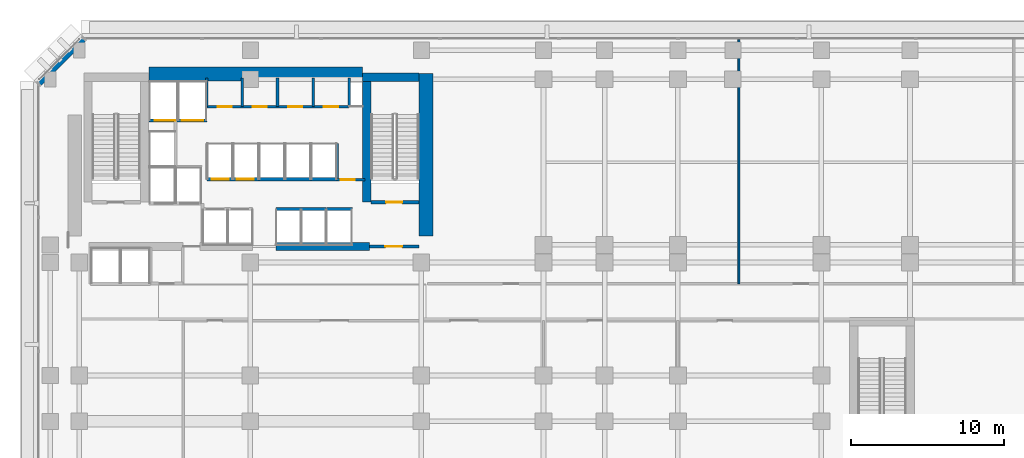
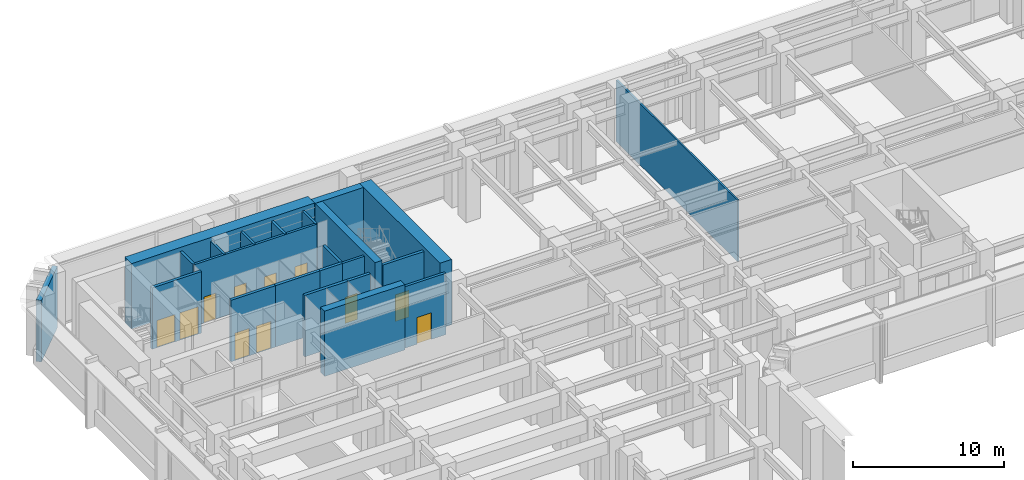
# One storey, part 10 of 20: 23 walls, 11 doors, 11 openings.
"""IFC4 building model written with IfcOpenShell, lengths in metres."""

import ifcopenshell
import ifcopenshell.guid

model = None  # the IFC model being written
_history = None  # IfcOwnerHistory: only IFC2X3 demands one
_inside = {}  # id of a spatial element -> (the spatial element, [elements in it])
_under = {}  # id of a project, library or spatial element -> (it, [spatial elements below it])
_declared = {}  # id of a project -> (the project, [libraries it declares])
_typed = {}  # id of a type object -> (the type object, [elements of that type])
_made_of = {}  # id of a material, layer set ... -> (it, [elements and type objects made of it])


def new_model(schema):
    """Start an empty IFC model of exactly this schema.

    Asked for "IFC4X3", IfcOpenShell would pick the latest addendum, in which some entities
    have other attributes; the version numbers below select the first issue.
    IFC2X3 requires an IfcOwnerHistory on every rooted entity: one is made here for all.
    """
    global model, _history
    if schema == "IFC4X3":
        model = ifcopenshell.file(schema_version=(4, 3, 0, 0))
    else:
        model = ifcopenshell.file(schema=schema)
    _inside.clear()
    _under.clear()
    _declared.clear()
    _typed.clear()
    _made_of.clear()
    _history = None
    if model.schema == "IFC2X3":
        org = make("IfcOrganization", Name="unknown")
        user = make(
            "IfcPersonAndOrganization",
            ThePerson=make("IfcPerson", FamilyName="unknown"),
            TheOrganization=org,
        )
        app = make(
            "IfcApplication",
            ApplicationDeveloper=org,
            Version="unknown",
            ApplicationFullName="unknown",
            ApplicationIdentifier="unknown",
        )
        _history = make(
            "IfcOwnerHistory",
            OwningUser=user,
            OwningApplication=app,
            ChangeAction="ADDED",
            CreationDate=0,
        )
    return model


def make(cls, **values):
    """One entity of the class cls with the attributes given. An attribute that is None is left unset."""
    return model.create_entity(
        cls, **{name: value for name, value in values.items() if value is not None}
    )


def rooted(cls, **values):
    """An entity with a GlobalId (a new one), such as an element, a storey or a relation."""
    return make(cls, GlobalId=ifcopenshell.guid.new(), OwnerHistory=_history, **values)


def si_unit(unit_type, name, prefix=None):
    """IfcSIUnit, for example si_unit("LENGTHUNIT", "METRE", prefix="MILLI")."""
    return make("IfcSIUnit", UnitType=unit_type, Prefix=prefix, Name=name)


def assignment(units):
    """IfcUnitAssignment: the units of a project."""
    return None if units is None else make("IfcUnitAssignment", Units=units)


def point(xyz):
    """IfcCartesianPoint."""
    return None if xyz is None else make("IfcCartesianPoint", Coordinates=xyz)


def direction(xyz):
    """IfcDirection."""
    return None if xyz is None else make("IfcDirection", DirectionRatios=xyz)


def frame(location, z_axis=None, x_axis=None):
    """IfcAxis2Placement3D, a coordinate frame: its origin and axes. An axis left out is left unset."""
    return make(
        "IfcAxis2Placement3D",
        Location=point(location),
        Axis=direction(z_axis),
        RefDirection=direction(x_axis),
    )


def frame_2d(location, x_axis=None):
    """IfcAxis2Placement2D, a coordinate frame in the plane: its origin and x axis."""
    return make(
        "IfcAxis2Placement2D", Location=point(location), RefDirection=direction(x_axis)
    )


def origin():
    """The frame at (0, 0, 0) with its axes left unset."""
    return frame((0.0, 0.0, 0.0))


def place(relative_to, where):
    """IfcLocalPlacement: puts the frame where relative to a parent placement (None: the world)."""
    return make(
        "IfcLocalPlacement", PlacementRelTo=relative_to, RelativePlacement=where
    )


def context(
    kind, dimensions, precision=None, world=None, true_north=None, identifier=None
):
    """IfcGeometricRepresentationContext, for example the 3D "Model" context."""
    return make(
        "IfcGeometricRepresentationContext",
        ContextIdentifier=identifier,
        ContextType=kind,
        CoordinateSpaceDimension=dimensions,
        Precision=precision,
        WorldCoordinateSystem=world,
        TrueNorth=true_north,
    )


def subcontext(parent, identifier, kind, view, scale=None):
    """IfcGeometricRepresentationSubContext, for example "Body" below "Model"."""
    return make(
        "IfcGeometricRepresentationSubContext",
        ContextIdentifier=identifier,
        ContextType=kind,
        ParentContext=parent,
        TargetScale=scale,
        TargetView=view,
    )


def project(units=None, contexts=None):
    """IfcProject with its units and contexts."""
    return rooted(
        "IfcProject",
        Name="project",
        RepresentationContexts=contexts,
        UnitsInContext=assignment(units),
    )


def spatial(cls, under=None, at=None, **own):
    """A site, building, storey or space (cls), placed at a placement, below another one or the project."""
    s = rooted(cls, ObjectPlacement=at, **own)
    if under is not None:
        _under.setdefault(under.id(), (under, []))[1].append(s)
    return s


def profile(cls, at=None, kind="AREA", **sizes):
    """A parametric profile (cls). Its sizes go by their IFC names, for example OverallWidth=200.0."""
    return make(cls, ProfileType=kind, Position=at, **sizes)


def rectangle(**sizes):
    """IfcRectangleProfileDef."""
    return profile("IfcRectangleProfileDef", **sizes)


def extrude(swept, where, along, depth):
    """IfcExtrudedAreaSolid: the profile swept, set in the frame where, extruded along a direction by depth."""
    return make(
        "IfcExtrudedAreaSolid",
        SweptArea=swept,
        Position=where,
        ExtrudedDirection=direction(along),
        Depth=depth,
    )


def shape(context_of_items, identifier, shape_type, items):
    """IfcShapeRepresentation: the items that make up one representation, for example the "Body"."""
    return make(
        "IfcShapeRepresentation",
        ContextOfItems=context_of_items,
        RepresentationIdentifier=identifier,
        RepresentationType=shape_type,
        Items=items,
    )


def material(Name=None, Category=None):
    """IfcMaterial."""
    return make("IfcMaterial", Name=Name, Category=Category)


def layer(
    of_material, thickness, ventilated=None, Name=None, Category=None, Priority=None
):
    """IfcMaterialLayer: one layer of a wall or slab, of a material (None: an air gap)."""
    return make(
        "IfcMaterialLayer",
        Material=of_material,
        LayerThickness=thickness,
        IsVentilated=ventilated,
        Name=Name,
        Category=Category,
        Priority=Priority,
    )


def layer_set(layers, Name=None):
    """IfcMaterialLayerSet."""
    return make("IfcMaterialLayerSet", MaterialLayers=layers, LayerSetName=Name)


def made_of(thing, what):
    """Note that an element or type object is made of a material, layer set ...; save() writes the relation."""
    if what is not None:
        _made_of.setdefault(what.id(), (what, []))[1].append(thing)
    return thing


def type_object(cls, material=None, **own):
    """A type object (cls), such as IfcWallType, which elements share."""
    return made_of(rooted(cls, **own), material)


def element(
    cls,
    number,
    at=None,
    inside=None,
    cuts=None,
    type_object=None,
    material=None,
    context=None,
    identifier="Body",
    shape_type=None,
    held_by="IfcProductDefinitionShape",
    body=None,
    shapes=None,
    **own,
):
    """One element of the class cls, such as IfcWall. Its Tag is "e" and its number.

    at: its placement. inside: the storey or other place that contains it. cuts: it is an
    opening in that element (IfcRelVoidsElement). A single representation is given by context,
    identifier, shape_type and body (its items); several are given by shapes. held_by: the class
    of the entity that holds the representations. save() writes the other relations.
    """
    e = rooted(cls, Tag="e%d" % number, ObjectPlacement=at, **own)
    if body is not None:
        shapes = [shape(context, identifier, shape_type, body)]
    if shapes is not None:
        e.Representation = make(held_by, Representations=shapes)
    if inside is not None:
        _inside.setdefault(inside.id(), (inside, []))[1].append(e)
    if cuts is not None:
        rooted(
            "IfcRelVoidsElement", RelatingBuildingElement=cuts, RelatedOpeningElement=e
        )
    if type_object is not None:
        _typed.setdefault(type_object.id(), (type_object, []))[1].append(e)
    return made_of(e, material)


def fill(opening, filler):
    """IfcRelFillsElement: the door or window that sits in an opening."""
    return rooted(
        "IfcRelFillsElement",
        RelatingOpeningElement=opening,
        RelatedBuildingElement=filler,
    )


def aggregate(whole, parts):
    """IfcRelAggregates: a whole, such as a stair, and the parts it consists of."""
    return rooted("IfcRelAggregates", RelatingObject=whole, RelatedObjects=parts)


def save(model, path):
    """Write the relations noted so far, then the file.

    IfcRelAggregates (storeys below a building ...), IfcRelContainedInSpatialStructure (elements
    in a storey), IfcRelDefinesByType, IfcRelAssociatesMaterial and IfcRelDeclares: one each for
    every whole, place, type object, material and project.
    """
    for whole, parts in _under.values():
        aggregate(whole, parts)
    for where, things in _inside.values():
        rooted(
            "IfcRelContainedInSpatialStructure",
            RelatedElements=things,
            RelatingStructure=where,
        )
    for kind, things in _typed.values():
        rooted("IfcRelDefinesByType", RelatedObjects=things, RelatingType=kind)
    for what, things in _made_of.values():
        rooted("IfcRelAssociatesMaterial", RelatedObjects=things, RelatingMaterial=what)
    for by, libraries in _declared.values():
        rooted("IfcRelDeclares", RelatingContext=by, RelatedDefinitions=libraries)
    model.write(path)


model = new_model("IFC4")

# Units and contexts
model_context = context("Model", 3, precision=1e-05, world=origin(), true_north=direction((0.0, 1.0)))
body_context = subcontext(model_context, "Body", "Model", "MODEL_VIEW")
ifc_project = project(units=[si_unit("LENGTHUNIT", "METRE"), si_unit("AREAUNIT", "SQUARE_METRE"), si_unit("VOLUMEUNIT", "CUBIC_METRE"), si_unit("PLANEANGLEUNIT", "RADIAN"), si_unit("MASSUNIT", "GRAM", prefix="KILO")], contexts=[model_context])

# Site, building, storey
site_placement = place(None, origin())
site = spatial("IfcSite", under=ifc_project, at=site_placement, CompositionType="ELEMENT")
building_placement = place(site_placement, origin())
building = spatial("IfcBuilding", under=site, at=building_placement, Name="Kefirva Bronze Tower", CompositionType="ELEMENT")
storey_placement = place(building_placement, frame((0.0, 0.0, 5.93994140625)))
storey = spatial("IfcBuildingStorey", under=building, at=storey_placement, Name="L01", CompositionType="ELEMENT", Elevation=5.93994140625)

# Wall
ifc_material_1 = material(Name="Gypsum acoustic partition")
ifc_layer_1 = layer(ifc_material_1, 0.1298828125, Name="Gypsum acoustic partition")
ifc_layer_set_1 = layer_set([ifc_layer_1], Name="Gypsum acoustic partition")
wall_type_1 = type_object("IfcWallType", Name="Acoustic Office Partition 130mm", PredefinedType="PARTITIONING", material=ifc_layer_set_1)
wall_1_placement = place(storey_placement, frame((44.0, 31.800048828125, 0.0), z_axis=(0.0, 0.0, 1.0), x_axis=(0.0, 1.0, 0.0)))
element("IfcWall", 1, at=wall_1_placement, inside=storey, type_object=wall_type_1, Name="L01 Partition W-L01-NDV1", PredefinedType="PARTITIONING", context=body_context, shape_type="SweptSolid", body=[
    extrude(rectangle(XDim=16.010009765625, YDim=0.1298828125, at=frame_2d((8.0048828125, 0.0))), origin(), (0.0, 0.0, 1.0), 4.9599609375),
])

# Wall, opening, door
ifc_material_2 = material(Name="Gypsum fireboard shaftwall")
ifc_layer_2 = layer(ifc_material_2, 0.219970703125, Name="Gypsum fireboard shaftwall")
ifc_layer_set_2 = layer_set([ifc_layer_2], Name="Gypsum fireboard shaftwall")
wall_type_2 = type_object("IfcWallType", Name="Fire-Rated Shaft Enclosure Wall 220mm", PredefinedType="PARTITIONING", material=ifc_layer_set_2)
wall_2_placement = place(storey_placement, frame((19.89990234375, 37.14990234375, 0.0), z_axis=(0.0, 0.0, 1.0), x_axis=(1.0, 0.0, 0.0)))
wall_2 = element("IfcWall", 2, at=wall_2_placement, inside=storey, type_object=wall_type_2, Name="L01 Partition W-L01-ST2S", PredefinedType="PARTITIONING", context=body_context, shape_type="SweptSolid", body=[
    extrude(rectangle(XDim=3.150146484375, YDim=0.219970703125, at=frame_2d((1.5751953125, 0.0))), origin(), (0.0, 0.0, 1.0), 4.9599609375),
])
opening_1_placement = place(wall_2_placement, frame((2.050048828125, 0.0, 0.0), z_axis=(0.0, 0.0, 1.0), x_axis=(-1.0, 0.0, 0.0)))
opening_1 = element("IfcOpeningElement", 3, at=opening_1_placement, cuts=wall_2, Name="Opening L01-D003", PredefinedType="OPENING", context=body_context, shape_type="SweptSolid", body=[
    extrude(rectangle(XDim=1.050048828125, YDim=2.14990234375, at=frame_2d((0.52490234375, 1.074951171875))), frame((0.0, 0.1201171875, 0.0), z_axis=(0.0, -1.0, 0.0), x_axis=(1.0, 0.0, 0.0)), (0.0, 0.0, 1.0), 0.239990234375),
])
ifc_material_3 = material(Name="Painted galvanized steel", Category="steel")
door_type_1 = type_object("IfcDoorType", Name="Fire Stair Enclosure Door 1050x2150 FD90S", OperationType="NOTDEFINED", PredefinedType="DOOR", material=ifc_material_3)
door_1_placement = place(opening_1_placement, origin())
door_1 = element("IfcDoor", 4, at=door_1_placement, inside=storey, type_object=door_type_1, Name="Door L01-D003", OperationType="SINGLE_SWING_LEFT", OverallHeight=2.14990234375, OverallWidth=1.050048828125, PredefinedType="DOOR", context=body_context, shape_type="SweptSolid", body=[
    extrude(rectangle(XDim=1.050048828125, YDim=2.14990234375, at=frame_2d((0.52490234375, 1.074951171875))), frame((0.0, 0.02490234375, 0.0), z_axis=(0.0, -1.0, 0.0), x_axis=(1.0, 0.0, 0.0)), (0.0, 0.0, 1.0), 0.050048828125),
])
fill(opening_1, door_1)

# Wall, openings, doors
wall_3_placement = place(storey_placement, frame((5.3798828125, 42.5, 0.0), z_axis=(0.0, 0.0, 1.0), x_axis=(1.0, 0.0, 0.0)))
wall_3 = element("IfcWall", 5, at=wall_3_placement, inside=storey, type_object=wall_type_2, Name="L01 Partition W-L01-SVS", PredefinedType="PARTITIONING", context=body_context, shape_type="SweptSolid", body=[
    extrude(rectangle(XDim=3.77001953125, YDim=0.219970703125, at=frame_2d((1.885009765625, 0.0))), origin(), (0.0, 0.0, 1.0), 4.9599609375),
])
opening_2_placement = place(wall_3_placement, frame((1.75, 0.0, 0.0), z_axis=(0.0, 0.0, 1.0), x_axis=(-1.0, 0.0, 0.0)))
opening_2 = element("IfcOpeningElement", 6, at=opening_2_placement, cuts=wall_3, Name="Opening L01-LD-SV1", PredefinedType="OPENING", context=body_context, shape_type="SweptSolid", body=[
    extrude(rectangle(XDim=1.39990234375, YDim=2.199951171875, at=frame_2d((0.699951171875, 1.10009765625))), frame((0.0, 0.1201171875, 0.0), z_axis=(0.0, -1.0, 0.0), x_axis=(1.0, 0.0, 0.0)), (0.0, 0.0, 1.0), 0.239990234375),
])
opening_3_placement = place(wall_3_placement, frame((3.52978515625, 0.0, 0.0), z_axis=(0.0, 0.0, 1.0), x_axis=(-1.0, 0.0, 0.0)))
opening_3 = element("IfcOpeningElement", 7, at=opening_3_placement, cuts=wall_3, Name="Opening L01-LD-SV2", PredefinedType="OPENING", context=body_context, shape_type="SweptSolid", body=[
    extrude(rectangle(XDim=1.39990234375, YDim=2.199951171875, at=frame_2d((0.699951171875, 1.10009765625))), frame((0.0, 0.1201171875, 0.0), z_axis=(0.0, -1.0, 0.0), x_axis=(1.0, 0.0, 0.0)), (0.0, 0.0, 1.0), 0.239990234375),
])
ifc_material_4 = material(Name="Stainless steel 316", Category="steel")
door_type_2 = type_object("IfcDoorType", Name="Goods Lift Bi-Parting Sliding Door 1400x2200", OperationType="SLIDING_TO_LEFT", PredefinedType="DOOR", material=ifc_material_4)
door_2_placement = place(opening_2_placement, origin())
door_2 = element("IfcDoor", 8, at=door_2_placement, inside=storey, type_object=door_type_2, Name="Door L01-LD-SV1", OperationType="SLIDING_TO_LEFT", OverallHeight=2.199951171875, OverallWidth=1.39990234375, PredefinedType="DOOR", context=body_context, shape_type="SweptSolid", body=[
    extrude(rectangle(XDim=1.39990234375, YDim=2.199951171875, at=frame_2d((0.699951171875, 1.10009765625))), frame((0.0, 0.02490234375, 0.0), z_axis=(0.0, -1.0, 0.0), x_axis=(1.0, 0.0, 0.0)), (0.0, 0.0, 1.0), 0.050048828125),
])
fill(opening_2, door_2)
door_3_placement = place(opening_3_placement, origin())
door_3 = element("IfcDoor", 9, at=door_3_placement, inside=storey, type_object=door_type_2, Name="Door L01-LD-SV2", OperationType="SLIDING_TO_LEFT", OverallHeight=2.199951171875, OverallWidth=1.39990234375, PredefinedType="DOOR", context=body_context, shape_type="SweptSolid", body=[
    extrude(rectangle(XDim=1.39990234375, YDim=2.199951171875, at=frame_2d((0.699951171875, 1.10009765625))), frame((0.0, 0.02490234375, 0.0), z_axis=(0.0, -1.0, 0.0), x_axis=(1.0, 0.0, 0.0)), (0.0, 0.0, 1.0), 0.050048828125),
])
fill(opening_3, door_3)

# Wall
wall_4_placement = place(storey_placement, frame((17.679931640625, 38.64990234375, 0.0), z_axis=(0.0, 0.0, 1.0), x_axis=(0.0, 1.0, 0.0)))
element("IfcWall", 10, at=wall_4_placement, inside=storey, type_object=wall_type_2, Name="L01 Partition W-L01-HP2E", PredefinedType="PARTITIONING", context=body_context, shape_type="SweptSolid", body=[
    extrude(rectangle(XDim=2.35009765625, YDim=0.199951171875, at=frame_2d((1.175048828125, 0.0))), origin(), (0.0, 0.0, 1.0), 4.9599609375),
])

# Wall, openings, doors
wall_5_placement = place(storey_placement, frame((9.179931640625, 38.64990234375, 0.0), z_axis=(0.0, 0.0, 1.0), x_axis=(1.0, 0.0, 0.0)))
wall_5 = element("IfcWall", 11, at=wall_5_placement, inside=storey, type_object=wall_type_2, Name="L01 Partition W-L01-LPN", PredefinedType="PARTITIONING", context=body_context, shape_type="SweptSolid", body=[
    extrude(rectangle(XDim=3.380126953125, YDim=0.219970703125, at=frame_2d((1.68994140625, 0.0))), origin(), (0.0, 0.0, 1.0), 4.9599609375),
])
opening_4_placement = place(wall_5_placement, frame((0.300048828125, 0.0, 0.0)))
opening_4 = element("IfcOpeningElement", 12, at=opening_4_placement, cuts=wall_5, Name="Opening L01-LD-LP3", PredefinedType="OPENING", context=body_context, shape_type="SweptSolid", body=[
    extrude(rectangle(XDim=1.10009765625, YDim=2.199951171875, at=frame_2d((0.550048828125, 1.10009765625))), frame((0.0, 0.1201171875, 0.0), z_axis=(0.0, -1.0, 0.0), x_axis=(1.0, 0.0, 0.0)), (0.0, 0.0, 1.0), 0.239990234375),
])
opening_5_placement = place(wall_5_placement, frame((1.949951171875, 0.0, 0.0)))
opening_5 = element("IfcOpeningElement", 13, at=opening_5_placement, cuts=wall_5, Name="Opening L01-LD-LP4", PredefinedType="OPENING", context=body_context, shape_type="SweptSolid", body=[
    extrude(rectangle(XDim=1.10009765625, YDim=2.199951171875, at=frame_2d((0.550048828125, 1.10009765625))), frame((0.0, 0.1201171875, 0.0), z_axis=(0.0, -1.0, 0.0), x_axis=(1.0, 0.0, 0.0)), (0.0, 0.0, 1.0), 0.239990234375),
])
door_type_3 = type_object("IfcDoorType", Name="Passenger Lift Sliding Landing Door 1100x2200", OperationType="SLIDING_TO_LEFT", PredefinedType="DOOR", material=ifc_material_4)
door_4_placement = place(opening_4_placement, origin())
door_4 = element("IfcDoor", 14, at=door_4_placement, inside=storey, type_object=door_type_3, Name="Door L01-LD-LP3", OperationType="SLIDING_TO_LEFT", OverallHeight=2.199951171875, OverallWidth=1.10009765625, PredefinedType="DOOR", context=body_context, shape_type="SweptSolid", body=[
    extrude(rectangle(XDim=1.10009765625, YDim=2.199951171875, at=frame_2d((0.550048828125, 1.10009765625))), frame((0.0, 0.02490234375, 0.0), z_axis=(0.0, -1.0, 0.0), x_axis=(1.0, 0.0, 0.0)), (0.0, 0.0, 1.0), 0.050048828125),
])
fill(opening_4, door_4)
door_5_placement = place(opening_5_placement, origin())
door_5 = element("IfcDoor", 15, at=door_5_placement, inside=storey, type_object=door_type_3, Name="Door L01-LD-LP4", OperationType="SLIDING_TO_LEFT", OverallHeight=2.199951171875, OverallWidth=1.10009765625, PredefinedType="DOOR", context=body_context, shape_type="SweptSolid", body=[
    extrude(rectangle(XDim=1.10009765625, YDim=2.199951171875, at=frame_2d((0.550048828125, 1.10009765625))), frame((0.0, 0.02490234375, 0.0), z_axis=(0.0, -1.0, 0.0), x_axis=(1.0, 0.0, 0.0)), (0.0, 0.0, 1.0), 0.050048828125),
])
fill(opening_5, door_5)

# Walls
wall_6_placement = place(storey_placement, frame((13.679931640625, 36.699951171875, 0.0), z_axis=(0.0, 0.0, 1.0), x_axis=(1.0, 0.0, 0.0)))
element("IfcWall", 16, at=wall_6_placement, inside=storey, type_object=wall_type_2, Name="L01 Partition W-L01-MPS", PredefinedType="PARTITIONING", context=body_context, shape_type="SweptSolid", body=[
    extrude(rectangle(XDim=3.280029296875, YDim=0.219970703125, at=frame_2d((1.64013671875, 0.0))), origin(), (0.0, 0.0, 1.0), 4.9599609375),
])
wall_7_placement = place(storey_placement, frame((12.580078125, 38.64990234375, 0.0), z_axis=(0.0, 0.0, 1.0), x_axis=(1.0, 0.0, 0.0)))
element("IfcWall", 17, at=wall_7_placement, inside=storey, type_object=wall_type_2, Name="L01 Partition W-L01-MPN", PredefinedType="PARTITIONING", context=body_context, shape_type="SweptSolid", body=[
    extrude(rectangle(XDim=3.3798828125, YDim=0.219970703125, at=frame_2d((1.68994140625, 0.0))), origin(), (0.0, 0.0, 1.0), 4.9599609375),
])
wall_8_placement = place(storey_placement, frame((16.97998046875, 36.699951171875, 0.0), z_axis=(0.0, 0.0, 1.0), x_axis=(1.0, 0.0, 0.0)))
element("IfcWall", 18, at=wall_8_placement, inside=storey, type_object=wall_type_2, Name="L01 Partition W-L01-HPS", PredefinedType="PARTITIONING", context=body_context, shape_type="SweptSolid", body=[
    extrude(rectangle(XDim=1.699951171875, YDim=0.219970703125, at=frame_2d((0.85009765625, 0.0))), origin(), (0.0, 0.0, 1.0), 4.9599609375),
])
wall_9_placement = place(storey_placement, frame((15.97998046875, 38.64990234375, 0.0), z_axis=(0.0, 0.0, 1.0), x_axis=(1.0, 0.0, 0.0)))
element("IfcWall", 19, at=wall_9_placement, inside=storey, type_object=wall_type_2, Name="L01 Partition W-L01-HPN", PredefinedType="PARTITIONING", context=body_context, shape_type="SweptSolid", body=[
    extrude(rectangle(XDim=1.719970703125, YDim=0.219970703125, at=frame_2d((0.85986328125, 0.0))), origin(), (0.0, 0.0, 1.0), 4.9599609375),
])

# Wall, opening, door
ifc_material_5 = material(Name="Gypsum fireboard barrier")
ifc_layer_3 = layer(ifc_material_5, 0.199951171875, Name="Gypsum fireboard barrier")
ifc_layer_set_3 = layer_set([ifc_layer_3], Name="Gypsum fireboard barrier")
wall_type_3 = type_object("IfcWallType", Name="Firefighting Lobby Barrier Wall 200mm", PredefinedType="PARTITIONING", material=ifc_layer_set_3)
wall_10_placement = place(storey_placement, frame((19.800048828125, 34.25, 0.0), z_axis=(0.0, 0.0, 1.0), x_axis=(1.0, 0.0, 0.0)))
wall_10 = element("IfcWall", 20, at=wall_10_placement, inside=storey, type_object=wall_type_3, Name="L01 Partition W-L01-ST2F", PredefinedType="PARTITIONING", context=body_context, shape_type="SweptSolid", body=[
    extrude(rectangle(XDim=3.25, YDim=0.199951171875, at=frame_2d((1.625, 0.0))), origin(), (0.0, 0.0, 1.0), 4.9599609375),
])
opening_6_placement = place(wall_10_placement, frame((2.150146484375, 0.0, 0.0), z_axis=(0.0, 0.0, 1.0), x_axis=(-1.0, 0.0, 0.0)))
opening_6 = element("IfcOpeningElement", 21, at=opening_6_placement, cuts=wall_10, Name="Opening L01-D004", PredefinedType="OPENING", context=body_context, shape_type="SweptSolid", body=[
    extrude(rectangle(XDim=1.10009765625, YDim=2.14990234375, at=frame_2d((0.550048828125, 1.074951171875))), frame((0.0, 0.10986328125, 0.0), z_axis=(0.0, -1.0, 0.0), x_axis=(1.0, 0.0, 0.0)), (0.0, 0.0, 1.0), 0.219970703125),
])
door_type_4 = type_object("IfcDoorType", Name="Firefighting Lobby Smoke Door 1100x2150 FD60S", OperationType="NOTDEFINED", PredefinedType="DOOR", material=ifc_material_3)
door_6_placement = place(opening_6_placement, origin())
door_6 = element("IfcDoor", 22, at=door_6_placement, inside=storey, type_object=door_type_4, Name="Door L01-D004", OperationType="SINGLE_SWING_RIGHT", OverallHeight=2.14990234375, OverallWidth=1.10009765625, PredefinedType="DOOR", context=body_context, shape_type="SweptSolid", body=[
    extrude(rectangle(XDim=1.10009765625, YDim=2.14990234375, at=frame_2d((0.550048828125, 1.074951171875))), frame((0.0, 0.02490234375, 0.0), z_axis=(0.0, -1.0, 0.0), x_axis=(1.0, 0.0, 0.0)), (0.0, 0.0, 1.0), 0.050048828125),
])
fill(opening_6, door_6)

wall_11_placement = place(storey_placement, frame((17.679931640625, 38.6201171875, 0.0), z_axis=(0.0, 0.0, 1.0), x_axis=(1.0, 0.0, 0.0)))
wall_11 = element("IfcWall", 23, at=wall_11_placement, inside=storey, type_object=wall_type_3, Name="L01 Partition W-L01-CPASS", PredefinedType="PARTITIONING", context=body_context, shape_type="SweptSolid", body=[
    extrude(rectangle(XDim=1.840087890625, YDim=0.179931640625, at=frame_2d((0.919921875, 0.0))), origin(), (0.0, 0.0, 1.0), 4.9599609375),
])
opening_7_placement = place(wall_11_placement, frame((0.239990234375, 0.0, 0.0)))
opening_7 = element("IfcOpeningElement", 24, at=opening_7_placement, cuts=wall_11, Name="Opening L01-D-CPAS", PredefinedType="OPENING", context=body_context, shape_type="SweptSolid", body=[
    extrude(rectangle(XDim=0.919921875, YDim=2.10009765625, at=frame_2d((0.4599609375, 1.050048828125))), frame((0.0, 0.10009765625, 0.0), z_axis=(0.0, -1.0, 0.0), x_axis=(1.0, 0.0, 0.0)), (0.0, 0.0, 1.0), 0.199951171875),
])
ifc_material_6 = material(Name="Moisture-resistant timber", Category="wood")
door_type_5 = type_object("IfcDoorType", Name="Accessible Sanitary & WC Door 920x2100", OperationType="NOTDEFINED", PredefinedType="DOOR", material=ifc_material_6)
door_7_placement = place(opening_7_placement, origin())
door_7 = element("IfcDoor", 25, at=door_7_placement, inside=storey, type_object=door_type_5, Name="Door L01-D-CPAS", OperationType="SINGLE_SWING_LEFT", OverallHeight=2.10009765625, OverallWidth=0.919921875, PredefinedType="DOOR", context=body_context, shape_type="SweptSolid", body=[
    extrude(rectangle(XDim=0.919921875, YDim=2.10009765625, at=frame_2d((0.4599609375, 1.050048828125))), frame((0.0, 0.02490234375, 0.0), z_axis=(0.0, -1.0, 0.0), x_axis=(1.0, 0.0, 0.0)), (0.0, 0.0, 1.0), 0.050048828125),
])
fill(opening_7, door_7)

# Walls
ifc_material_7 = material(Name="Precast concrete C40/50", Category="concrete")
ifc_layer_4 = layer(ifc_material_7, 0.360107421875, Name="Precast concrete C40/50")
ifc_layer_set_4 = layer_set([ifc_layer_4], Name="Precast concrete C40/50")
wall_type_4 = type_object("IfcWallType", Name="Precast Podium Facade Wall 360mm", PredefinedType="SOLIDWALL", material=ifc_layer_set_4)
wall_12_placement = place(storey_placement, frame((1.08837890625, 47.833740234375, 0.0), z_axis=(0.0, 0.0, 1.0), x_axis=(-0.707106781187, -0.707106781187, 0.0)))
element("IfcWall", 26, at=wall_12_placement, inside=storey, type_object=wall_type_4, Name="L01 Exterior Facade Wall 6", PredefinedType="SOLIDWALL", context=body_context, shape_type="SweptSolid", body=[
    extrude(rectangle(XDim=4.132568359375, YDim=0.360107421875, at=frame_2d((2.06640625, 0.0))), origin(), (0.0, 0.0, 1.0), 4.9599609375),
])
ifc_material_8 = material(Name="Concrete C50/60", Category="concrete")
ifc_layer_5 = layer(ifc_material_8, 0.550048828125, Name="Concrete C50/60")
ifc_layer_set_5 = layer_set([ifc_layer_5], Name="Concrete C50/60")
wall_type_5 = type_object("IfcWallType", Name="RC Rear Core Interior Wall 550mm", PredefinedType="SHEAR", material=ifc_layer_set_5)
wall_13_placement = place(storey_placement, frame((19.6201171875, 37.14990234375, 0.0), z_axis=(0.0, 0.0, 1.0), x_axis=(0.0, 1.0, 0.0)))
element("IfcWall", 27, at=wall_13_placement, inside=storey, type_object=wall_type_5, Name="L01 Stair 2 West Shear Wall", PredefinedType="SHEAR", context=body_context, shape_type="SweptSolid", body=[
    extrude(rectangle(XDim=7.89013671875, YDim=0.550048828125, at=frame_2d((3.945068359375, 0.0))), origin(), (0.0, 0.0, 1.0), 5.280029296875),
])
wall_14_placement = place(storey_placement, frame((19.35009765625, 45.320068359375, 0.0), z_axis=(0.0, 0.0, 1.0), x_axis=(1.0, 0.0, 0.0)))
element("IfcWall", 28, at=wall_14_placement, inside=storey, type_object=wall_type_5, Name="L01 Stair 2 North Shear Wall", PredefinedType="SHEAR", context=body_context, shape_type="SweptSolid", body=[
    extrude(rectangle(XDim=3.68994140625, YDim=0.550048828125, at=frame_2d((1.844970703125, 0.0))), origin(), (0.0, 0.0, 1.0), 5.280029296875),
])
ifc_material_9 = material(Name="Concrete C60/75", Category="concrete")
ifc_layer_6 = layer(ifc_material_9, 0.89990234375, Name="Concrete C60/75")
ifc_layer_set_6 = layer_set([ifc_layer_6], Name="Concrete C60/75")
wall_type_6 = type_object("IfcWallType", Name="RC Rear Core Interior Wall 900mm", PredefinedType="SHEAR", material=ifc_layer_set_6)
wall_15_placement = place(storey_placement, frame((5.360107421875, 45.550048828125, 0.0), z_axis=(0.0, 0.0, 1.0), x_axis=(1.0, 0.0, 0.0)))
element("IfcWall", 29, at=wall_15_placement, inside=storey, type_object=wall_type_6, Name="L01 Rear Core North Shear Wall", PredefinedType="SHEAR", context=body_context, shape_type="SweptSolid", body=[
    extrude(rectangle(XDim=13.97998046875, YDim=0.89990234375, at=frame_2d((6.989990234375, 0.0))), origin(), (0.0, 0.0, 1.0), 5.280029296875),
])
wall_16_placement = place(storey_placement, frame((23.5, 34.949951171875, 0.0), z_axis=(0.0, 0.0, 1.0), x_axis=(0.0, 1.0, 0.0)))
element("IfcWall", 30, at=wall_16_placement, inside=storey, type_object=wall_type_6, Name="L01 Rear Core East Shear Wall", PredefinedType="SHEAR", context=body_context, shape_type="SweptSolid", body=[
    extrude(rectangle(XDim=10.64013671875, YDim=0.89990234375, at=frame_2d((5.320068359375, 0.0))), origin(), (0.0, 0.0, 1.0), 5.280029296875),
])
wall_17_placement = place(storey_placement, frame((13.679931640625, 34.25, 0.0), z_axis=(0.0, 0.0, 1.0), x_axis=(1.0, 0.0, 0.0)))
element("IfcWall", 31, at=wall_17_placement, inside=storey, type_object=wall_type_6, Name="L01 Rear Core South-East Shear Wall", PredefinedType="SHEAR", context=body_context, shape_type="SweptSolid", body=[
    extrude(rectangle(XDim=6.1201171875, YDim=0.550048828125, at=frame_2d((3.06005859375, 0.0))), origin(), (0.0, 0.0, 1.0), 5.280029296875),
])

# Wall, openings, doors
ifc_material_10 = material(Name="Moisture-resistant partition")
ifc_layer_7 = layer(ifc_material_10, 0.179931640625, Name="Moisture-resistant partition")
ifc_layer_set_7 = layer_set([ifc_layer_7], Name="Moisture-resistant partition")
wall_type_7 = type_object("IfcWallType", Name="Sanitary Plumbing Chase Wall 180mm", PredefinedType="PLUMBINGWALL", material=ifc_layer_set_7)
wall_18_placement = place(storey_placement, frame((9.14990234375, 43.39990234375, 0.0), z_axis=(0.0, 0.0, 1.0), x_axis=(1.0, 0.0, 0.0)))
wall_18 = element("IfcWall", 32, at=wall_18_placement, inside=storey, type_object=wall_type_7, Name="L01 Partition W-L01-SVCS", PredefinedType="PLUMBINGWALL", context=body_context, shape_type="SweptSolid", body=[
    extrude(rectangle(XDim=9.330078125, YDim=0.179931640625, at=frame_2d((4.6650390625, 0.0))), origin(), (0.0, 0.0, 1.0), 4.9599609375),
])
opening_8_placement = place(wall_18_placement, frame((0.719970703125, 0.0, 0.0)))
opening_8 = element("IfcOpeningElement", 33, at=opening_8_placement, cuts=wall_18, Name="Opening L01-D-CSVC1", PredefinedType="OPENING", context=body_context, shape_type="SweptSolid", body=[
    extrude(rectangle(XDim=0.919921875, YDim=2.10009765625, at=frame_2d((0.4599609375, 1.050048828125))), frame((0.0, 0.10009765625, 0.0), z_axis=(0.0, -1.0, 0.0), x_axis=(1.0, 0.0, 0.0)), (0.0, 0.0, 1.0), 0.199951171875),
])
opening_9_placement = place(wall_18_placement, frame((3.02001953125, 0.0, 0.0)))
opening_9 = element("IfcOpeningElement", 34, at=opening_9_placement, cuts=wall_18, Name="Opening L01-D-CSVC2", PredefinedType="OPENING", context=body_context, shape_type="SweptSolid", body=[
    extrude(rectangle(XDim=0.919921875, YDim=2.10009765625, at=frame_2d((0.4599609375, 1.050048828125))), frame((0.0, 0.10009765625, 0.0), z_axis=(0.0, -1.0, 0.0), x_axis=(1.0, 0.0, 0.0)), (0.0, 0.0, 1.0), 0.199951171875),
])
opening_10_placement = place(wall_18_placement, frame((5.340087890625, 0.0, 0.0)))
opening_10 = element("IfcOpeningElement", 35, at=opening_10_placement, cuts=wall_18, Name="Opening L01-D-CSVC3", PredefinedType="OPENING", context=body_context, shape_type="SweptSolid", body=[
    extrude(rectangle(XDim=0.919921875, YDim=2.10009765625, at=frame_2d((0.4599609375, 1.050048828125))), frame((0.0, 0.10009765625, 0.0), z_axis=(0.0, -1.0, 0.0), x_axis=(1.0, 0.0, 0.0)), (0.0, 0.0, 1.0), 0.199951171875),
])
opening_11_placement = place(wall_18_placement, frame((7.659912109375, 0.0, 0.0)))
opening_11 = element("IfcOpeningElement", 36, at=opening_11_placement, cuts=wall_18, Name="Opening L01-D-CSVC4", PredefinedType="OPENING", context=body_context, shape_type="SweptSolid", body=[
    extrude(rectangle(XDim=0.949951171875, YDim=2.10009765625, at=frame_2d((0.47509765625, 1.050048828125))), frame((0.0, 0.10009765625, 0.0), z_axis=(0.0, -1.0, 0.0), x_axis=(1.0, 0.0, 0.0)), (0.0, 0.0, 1.0), 0.199951171875),
])
door_8_placement = place(opening_8_placement, origin())
door_8 = element("IfcDoor", 37, at=door_8_placement, inside=storey, type_object=door_type_5, Name="Door L01-D-CSVC1", OperationType="SINGLE_SWING_LEFT", OverallHeight=2.10009765625, OverallWidth=0.919921875, PredefinedType="DOOR", context=body_context, shape_type="SweptSolid", body=[
    extrude(rectangle(XDim=0.919921875, YDim=2.10009765625, at=frame_2d((0.4599609375, 1.050048828125))), frame((0.0, 0.02490234375, 0.0), z_axis=(0.0, -1.0, 0.0), x_axis=(1.0, 0.0, 0.0)), (0.0, 0.0, 1.0), 0.050048828125),
])
fill(opening_8, door_8)
door_9_placement = place(opening_9_placement, origin())
door_9 = element("IfcDoor", 38, at=door_9_placement, inside=storey, type_object=door_type_5, Name="Door L01-D-CSVC2", OperationType="SINGLE_SWING_RIGHT", OverallHeight=2.10009765625, OverallWidth=0.919921875, PredefinedType="DOOR", context=body_context, shape_type="SweptSolid", body=[
    extrude(rectangle(XDim=0.919921875, YDim=2.10009765625, at=frame_2d((0.4599609375, 1.050048828125))), frame((0.0, 0.02490234375, 0.0), z_axis=(0.0, -1.0, 0.0), x_axis=(1.0, 0.0, 0.0)), (0.0, 0.0, 1.0), 0.050048828125),
])
fill(opening_9, door_9)
door_10_placement = place(opening_10_placement, origin())
door_10 = element("IfcDoor", 39, at=door_10_placement, inside=storey, type_object=door_type_5, Name="Door L01-D-CSVC3", OperationType="SINGLE_SWING_LEFT", OverallHeight=2.10009765625, OverallWidth=0.919921875, PredefinedType="DOOR", context=body_context, shape_type="SweptSolid", body=[
    extrude(rectangle(XDim=0.919921875, YDim=2.10009765625, at=frame_2d((0.4599609375, 1.050048828125))), frame((0.0, 0.02490234375, 0.0), z_axis=(0.0, -1.0, 0.0), x_axis=(1.0, 0.0, 0.0)), (0.0, 0.0, 1.0), 0.050048828125),
])
fill(opening_10, door_10)
door_type_6 = type_object("IfcDoorType", Name="Riser & Plant Shaft Fire Door 950x2100 FD60S", OperationType="NOTDEFINED", PredefinedType="DOOR", material=ifc_material_3)
door_11_placement = place(opening_11_placement, origin())
door_11 = element("IfcDoor", 40, at=door_11_placement, inside=storey, type_object=door_type_6, Name="Door L01-D-CSVC4", OperationType="SINGLE_SWING_RIGHT", OverallHeight=2.10009765625, OverallWidth=0.949951171875, PredefinedType="DOOR", context=body_context, shape_type="SweptSolid", body=[
    extrude(rectangle(XDim=0.949951171875, YDim=2.10009765625, at=frame_2d((0.47509765625, 1.050048828125))), frame((0.0, 0.02490234375, 0.0), z_axis=(0.0, -1.0, 0.0), x_axis=(1.0, 0.0, 0.0)), (0.0, 0.0, 1.0), 0.050048828125),
])
fill(opening_11, door_11)

# Walls
for number, where, z_axis, x_axis, name in (
    (41, (9.14990234375, 43.39990234375, 0.0), (0.0, 0.0, 1.0), (0.0, 1.0, 0.0), "L01 Partition W-L01-SVCW"),
    (42, (18.47998046875, 43.39990234375, 0.0), (0.0, 0.0, 1.0), (0.0, 1.0, 0.0), "L01 Partition W-L01-SVCE"),
    (43, (11.47998046875, 43.39990234375, 0.0), (0.0, 0.0, 1.0), (0.0, 1.0, 0.0), "L01 Partition W-L01-CSVD-1"),
    (44, (13.780029296875, 43.39990234375, 0.0), (0.0, 0.0, 1.0), (0.0, 1.0, 0.0), "L01 Partition W-L01-CSVD-2"),
    (45, (16.1201171875, 43.39990234375, 0.0), (0.0, 0.0, 1.0), (0.0, 1.0, 0.0), "L01 Partition W-L01-CSVD-3"),
):
    element("IfcWall", number, at=place(storey_placement, frame(where, z_axis=z_axis, x_axis=x_axis)), inside=storey, type_object=wall_type_7, Name=name, PredefinedType="PLUMBINGWALL", context=body_context, shape_type="SweptSolid", body=[
        extrude(rectangle(XDim=1.880126953125, YDim=0.179931640625, at=frame_2d((0.93994140625, 0.0))), origin(), (0.0, 0.0, 1.0), 4.9599609375),
    ])

save(model, "model.ifc")
